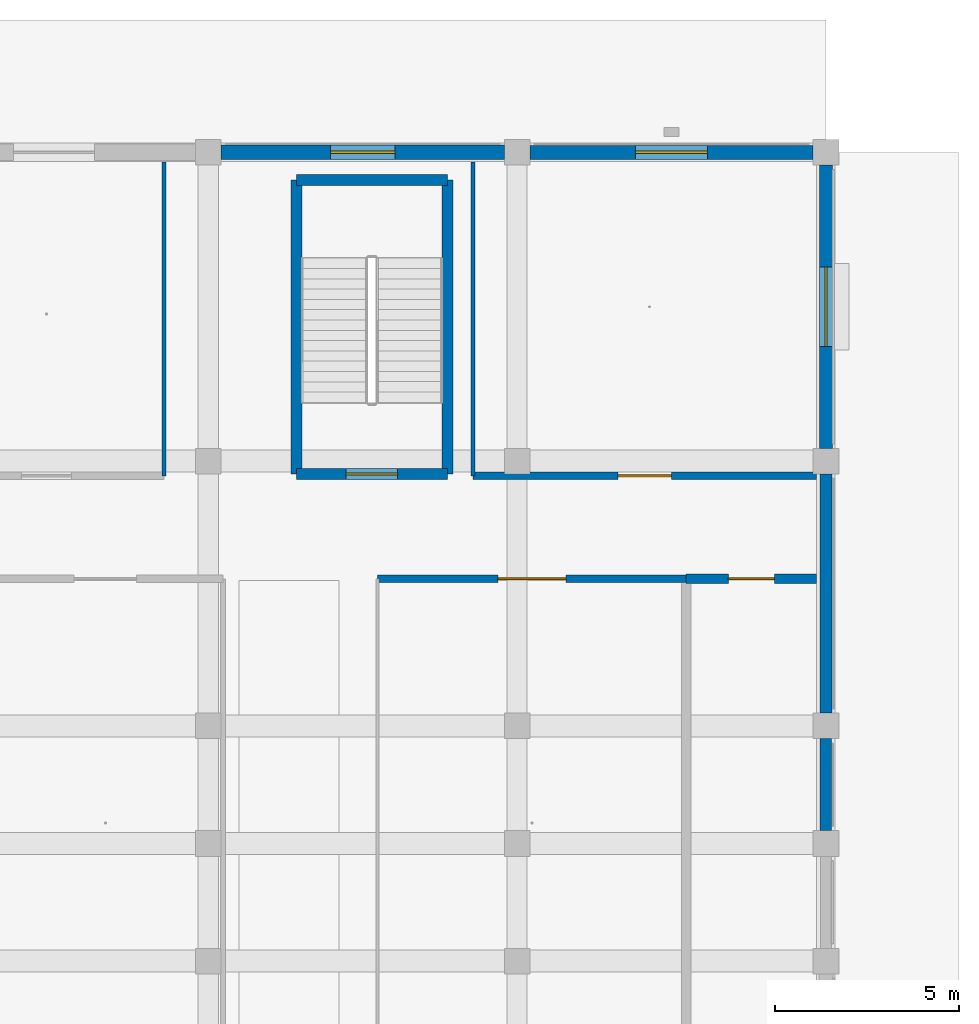
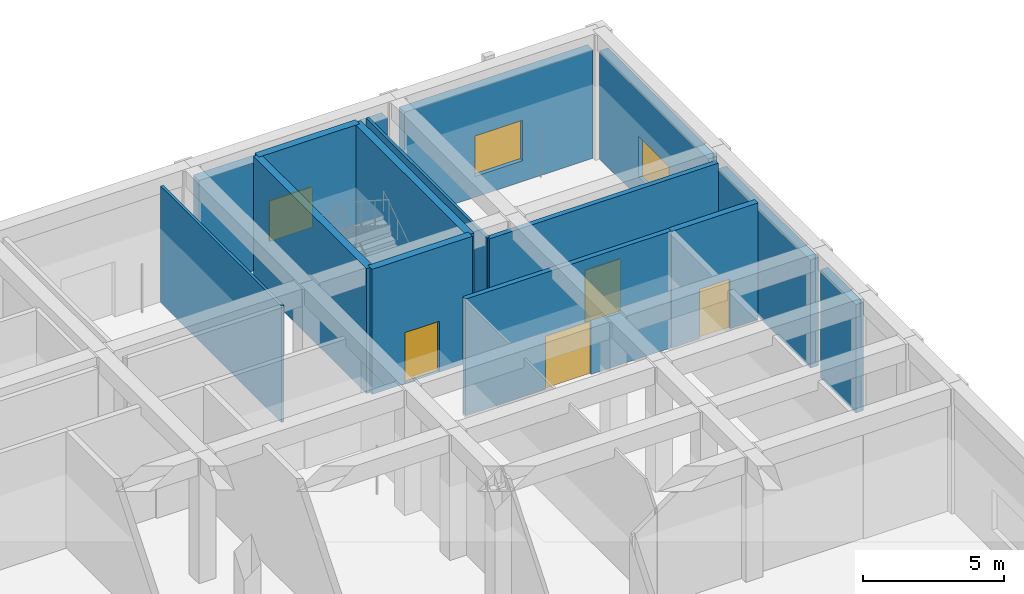
# One storey, part 79 of 167: 14 walls, 4 doors, 3 windows, 7 openings.
"""IFC4 building model written with IfcOpenShell, lengths in metres."""

import ifcopenshell
import ifcopenshell.guid

model = None  # the IFC model being written
_history = None  # IfcOwnerHistory: only IFC2X3 demands one
_inside = {}  # id of a spatial element -> (the spatial element, [elements in it])
_under = {}  # id of a project, library or spatial element -> (it, [spatial elements below it])
_declared = {}  # id of a project -> (the project, [libraries it declares])
_typed = {}  # id of a type object -> (the type object, [elements of that type])
_made_of = {}  # id of a material, layer set ... -> (it, [elements and type objects made of it])


def new_model(schema):
    """Start an empty IFC model of exactly this schema.

    Asked for "IFC4X3", IfcOpenShell would pick the latest addendum, in which some entities
    have other attributes; the version numbers below select the first issue.
    IFC2X3 requires an IfcOwnerHistory on every rooted entity: one is made here for all.
    """
    global model, _history
    if schema == "IFC4X3":
        model = ifcopenshell.file(schema_version=(4, 3, 0, 0))
    else:
        model = ifcopenshell.file(schema=schema)
    _inside.clear()
    _under.clear()
    _declared.clear()
    _typed.clear()
    _made_of.clear()
    _history = None
    if model.schema == "IFC2X3":
        org = make("IfcOrganization", Name="unknown")
        user = make(
            "IfcPersonAndOrganization",
            ThePerson=make("IfcPerson", FamilyName="unknown"),
            TheOrganization=org,
        )
        app = make(
            "IfcApplication",
            ApplicationDeveloper=org,
            Version="unknown",
            ApplicationFullName="unknown",
            ApplicationIdentifier="unknown",
        )
        _history = make(
            "IfcOwnerHistory",
            OwningUser=user,
            OwningApplication=app,
            ChangeAction="ADDED",
            CreationDate=0,
        )
    return model


def make(cls, **values):
    """One entity of the class cls with the attributes given. An attribute that is None is left unset."""
    return model.create_entity(
        cls, **{name: value for name, value in values.items() if value is not None}
    )


def rooted(cls, **values):
    """An entity with a GlobalId (a new one), such as an element, a storey or a relation."""
    return make(cls, GlobalId=ifcopenshell.guid.new(), OwnerHistory=_history, **values)


def si_unit(unit_type, name, prefix=None):
    """IfcSIUnit, for example si_unit("LENGTHUNIT", "METRE", prefix="MILLI")."""
    return make("IfcSIUnit", UnitType=unit_type, Prefix=prefix, Name=name)


def assignment(units):
    """IfcUnitAssignment: the units of a project."""
    return None if units is None else make("IfcUnitAssignment", Units=units)


def point(xyz):
    """IfcCartesianPoint."""
    return None if xyz is None else make("IfcCartesianPoint", Coordinates=xyz)


def direction(xyz):
    """IfcDirection."""
    return None if xyz is None else make("IfcDirection", DirectionRatios=xyz)


def frame(location, z_axis=None, x_axis=None):
    """IfcAxis2Placement3D, a coordinate frame: its origin and axes. An axis left out is left unset."""
    return make(
        "IfcAxis2Placement3D",
        Location=point(location),
        Axis=direction(z_axis),
        RefDirection=direction(x_axis),
    )


def frame_2d(location, x_axis=None):
    """IfcAxis2Placement2D, a coordinate frame in the plane: its origin and x axis."""
    return make(
        "IfcAxis2Placement2D", Location=point(location), RefDirection=direction(x_axis)
    )


def origin():
    """The frame at (0, 0, 0) with its axes left unset."""
    return frame((0.0, 0.0, 0.0))


def place(relative_to, where):
    """IfcLocalPlacement: puts the frame where relative to a parent placement (None: the world)."""
    return make(
        "IfcLocalPlacement", PlacementRelTo=relative_to, RelativePlacement=where
    )


def context(
    kind, dimensions, precision=None, world=None, true_north=None, identifier=None
):
    """IfcGeometricRepresentationContext, for example the 3D "Model" context."""
    return make(
        "IfcGeometricRepresentationContext",
        ContextIdentifier=identifier,
        ContextType=kind,
        CoordinateSpaceDimension=dimensions,
        Precision=precision,
        WorldCoordinateSystem=world,
        TrueNorth=true_north,
    )


def subcontext(parent, identifier, kind, view, scale=None):
    """IfcGeometricRepresentationSubContext, for example "Body" below "Model"."""
    return make(
        "IfcGeometricRepresentationSubContext",
        ContextIdentifier=identifier,
        ContextType=kind,
        ParentContext=parent,
        TargetScale=scale,
        TargetView=view,
    )


def project(units=None, contexts=None):
    """IfcProject with its units and contexts."""
    return rooted(
        "IfcProject",
        Name="project",
        RepresentationContexts=contexts,
        UnitsInContext=assignment(units),
    )


def spatial(cls, under=None, at=None, **own):
    """A site, building, storey or space (cls), placed at a placement, below another one or the project."""
    s = rooted(cls, ObjectPlacement=at, **own)
    if under is not None:
        _under.setdefault(under.id(), (under, []))[1].append(s)
    return s


def profile(cls, at=None, kind="AREA", **sizes):
    """A parametric profile (cls). Its sizes go by their IFC names, for example OverallWidth=200.0."""
    return make(cls, ProfileType=kind, Position=at, **sizes)


def rectangle(**sizes):
    """IfcRectangleProfileDef."""
    return profile("IfcRectangleProfileDef", **sizes)


def extrude(swept, where, along, depth):
    """IfcExtrudedAreaSolid: the profile swept, set in the frame where, extruded along a direction by depth."""
    return make(
        "IfcExtrudedAreaSolid",
        SweptArea=swept,
        Position=where,
        ExtrudedDirection=direction(along),
        Depth=depth,
    )


def shape(context_of_items, identifier, shape_type, items):
    """IfcShapeRepresentation: the items that make up one representation, for example the "Body"."""
    return make(
        "IfcShapeRepresentation",
        ContextOfItems=context_of_items,
        RepresentationIdentifier=identifier,
        RepresentationType=shape_type,
        Items=items,
    )


def material(Name=None, Category=None):
    """IfcMaterial."""
    return make("IfcMaterial", Name=Name, Category=Category)


def layer(
    of_material, thickness, ventilated=None, Name=None, Category=None, Priority=None
):
    """IfcMaterialLayer: one layer of a wall or slab, of a material (None: an air gap)."""
    return make(
        "IfcMaterialLayer",
        Material=of_material,
        LayerThickness=thickness,
        IsVentilated=ventilated,
        Name=Name,
        Category=Category,
        Priority=Priority,
    )


def layer_set(layers, Name=None):
    """IfcMaterialLayerSet."""
    return make("IfcMaterialLayerSet", MaterialLayers=layers, LayerSetName=Name)


def made_of(thing, what):
    """Note that an element or type object is made of a material, layer set ...; save() writes the relation."""
    if what is not None:
        _made_of.setdefault(what.id(), (what, []))[1].append(thing)
    return thing


def type_object(cls, material=None, **own):
    """A type object (cls), such as IfcWallType, which elements share."""
    return made_of(rooted(cls, **own), material)


def element(
    cls,
    number,
    at=None,
    inside=None,
    cuts=None,
    type_object=None,
    material=None,
    context=None,
    identifier="Body",
    shape_type=None,
    held_by="IfcProductDefinitionShape",
    body=None,
    shapes=None,
    **own,
):
    """One element of the class cls, such as IfcWall. Its Tag is "e" and its number.

    at: its placement. inside: the storey or other place that contains it. cuts: it is an
    opening in that element (IfcRelVoidsElement). A single representation is given by context,
    identifier, shape_type and body (its items); several are given by shapes. held_by: the class
    of the entity that holds the representations. save() writes the other relations.
    """
    e = rooted(cls, Tag="e%d" % number, ObjectPlacement=at, **own)
    if body is not None:
        shapes = [shape(context, identifier, shape_type, body)]
    if shapes is not None:
        e.Representation = make(held_by, Representations=shapes)
    if inside is not None:
        _inside.setdefault(inside.id(), (inside, []))[1].append(e)
    if cuts is not None:
        rooted(
            "IfcRelVoidsElement", RelatingBuildingElement=cuts, RelatedOpeningElement=e
        )
    if type_object is not None:
        _typed.setdefault(type_object.id(), (type_object, []))[1].append(e)
    return made_of(e, material)


def fill(opening, filler):
    """IfcRelFillsElement: the door or window that sits in an opening."""
    return rooted(
        "IfcRelFillsElement",
        RelatingOpeningElement=opening,
        RelatedBuildingElement=filler,
    )


def aggregate(whole, parts):
    """IfcRelAggregates: a whole, such as a stair, and the parts it consists of."""
    return rooted("IfcRelAggregates", RelatingObject=whole, RelatedObjects=parts)


def save(model, path):
    """Write the relations noted so far, then the file.

    IfcRelAggregates (storeys below a building ...), IfcRelContainedInSpatialStructure (elements
    in a storey), IfcRelDefinesByType, IfcRelAssociatesMaterial and IfcRelDeclares: one each for
    every whole, place, type object, material and project.
    """
    for whole, parts in _under.values():
        aggregate(whole, parts)
    for where, things in _inside.values():
        rooted(
            "IfcRelContainedInSpatialStructure",
            RelatedElements=things,
            RelatingStructure=where,
        )
    for kind, things in _typed.values():
        rooted("IfcRelDefinesByType", RelatedObjects=things, RelatingType=kind)
    for what, things in _made_of.values():
        rooted("IfcRelAssociatesMaterial", RelatedObjects=things, RelatingMaterial=what)
    for by, libraries in _declared.values():
        rooted("IfcRelDeclares", RelatingContext=by, RelatedDefinitions=libraries)
    model.write(path)


model = new_model("IFC4")

# Units and contexts
model_context = context("Model", 3, precision=1e-05, world=origin(), true_north=direction((0.0, 1.0)))
body_context = subcontext(model_context, "Body", "Model", "MODEL_VIEW")
ifc_project = project(units=[si_unit("LENGTHUNIT", "METRE"), si_unit("AREAUNIT", "SQUARE_METRE"), si_unit("VOLUMEUNIT", "CUBIC_METRE"), si_unit("PLANEANGLEUNIT", "RADIAN"), si_unit("MASSUNIT", "GRAM", prefix="KILO")], contexts=[model_context])

# Site, building, storey
site_placement = place(None, origin())
site = spatial("IfcSite", under=ifc_project, at=site_placement, CompositionType="ELEMENT")
building_placement = place(site_placement, origin())
building = spatial("IfcBuilding", under=site, at=building_placement, Name="Varncliffe General Hospital", CompositionType="ELEMENT")
storey_placement = place(building_placement, origin())
storey = spatial("IfcBuildingStorey", under=building, at=storey_placement, Name="L00", CompositionType="ELEMENT", Elevation=0.0)

# Wall
ifc_material_1 = material(Name="Precast concrete C40/50 with insulated cream lime-cement stucco", Category="concrete")
ifc_layer_1 = layer(ifc_material_1, 0.31005859375)
ifc_layer_set_1 = layer_set([ifc_layer_1], Name="Precast concrete C40/50 with insulated cream lime-cement stucco")
wall_type_1 = type_object("IfcWallType", Name="Exterior Insulated Stucco Wall EW20 (310mm)", PredefinedType="SOLIDWALL", material=ifc_layer_set_1)
wall_1_placement = place(storey_placement, frame((176.39990234375, 108.85205078125, 0.0), z_axis=(0.0, 0.0, 1.0), x_axis=(0.0, -1.0, 0.0)))
element("IfcWall", 1, at=wall_1_placement, inside=storey, type_object=wall_type_1, Name="L00 Exterior Stucco Wall EW20-37", PredefinedType="SOLIDWALL", context=body_context, shape_type="SweptSolid", body=[
    extrude(rectangle(XDim=2.504150390625, YDim=0.31005859375, at=frame_2d((1.251953125, 0.0))), origin(), (0.0, 0.0, 1.0), 4.679931640625),
])

# Wall, opening, window
ifc_layer_2 = layer(ifc_material_1, 0.3798828125)
ifc_layer_set_2 = layer_set([ifc_layer_2], Name="Precast concrete C40/50 with insulated cream lime-cement stucco")
wall_type_2 = type_object("IfcWallType", Name="Exterior Insulated Stucco Wall EW26 (380mm)", PredefinedType="SOLIDWALL", material=ifc_layer_set_2)
wall_2_placement = place(storey_placement, frame((168.347900390625, 124.800048828125, 0.0), z_axis=(0.0, 0.0, 1.0), x_axis=(1.0, 0.0, 0.0)))
wall_2 = element("IfcWall", 2, at=wall_2_placement, inside=storey, type_object=wall_type_2, Name="L00 Exterior Stucco Wall EW26-34", PredefinedType="SOLIDWALL", context=body_context, shape_type="SweptSolid", body=[
    extrude(rectangle(XDim=7.7041015625, YDim=0.3798828125, at=frame_2d((3.85205078125, 0.0))), origin(), (0.0, 0.0, 1.0), 4.679931640625),
])
opening_1_placement = place(wall_2_placement, frame((2.876953125, 0.0, 0.89990234375)))
opening_1 = element("IfcOpeningElement", 3, at=opening_1_placement, cuts=wall_2, Name="Opening WN71", PredefinedType="OPENING", context=body_context, shape_type="SweptSolid", body=[
    extrude(rectangle(XDim=1.949951171875, YDim=1.75, at=frame_2d((0.97509765625, 0.875))), frame((0.0, 0.199951171875, 0.0), z_axis=(0.0, -1.0, 0.0), x_axis=(1.0, 0.0, 0.0)), (0.0, 0.0, 1.0), 0.39990234375),
])
ifc_material_2 = material(Name="Triple low-E argon insulated vision glazing", Category="glass")
window_type_1 = type_object("IfcWindowType", Name="Triple-Glazed Hospital Window WN71 (1950x1750)", PartitioningType="DOUBLE_PANEL_VERTICAL", PredefinedType="WINDOW", material=ifc_material_2)
window_1_placement = place(opening_1_placement, origin())
window_1 = element("IfcWindow", 4, at=window_1_placement, inside=storey, type_object=window_type_1, Name="L00 Hospital Window WN71-21", OverallHeight=1.75, OverallWidth=1.949951171875, PartitioningType="DOUBLE_PANEL_VERTICAL", PredefinedType="WINDOW", context=body_context, shape_type="SweptSolid", body=[
    extrude(rectangle(XDim=1.949951171875, YDim=1.75, at=frame_2d((0.97509765625, 0.875))), frame((0.0, 0.030029296875, 0.0), z_axis=(0.0, -1.0, 0.0), x_axis=(1.0, 0.0, 0.0)), (0.0, 0.0, 1.0), 0.06005859375),
])
fill(opening_1, window_1)

# Wall
ifc_layer_3 = layer(ifc_material_1, 0.330078125)
ifc_layer_set_3 = layer_set([ifc_layer_3], Name="Precast concrete C40/50 with insulated cream lime-cement stucco")
wall_type_3 = type_object("IfcWallType", Name="Exterior Insulated Stucco Wall EW33 (330mm)", PredefinedType="SOLIDWALL", material=ifc_layer_set_3)
wall_3_placement = place(storey_placement, frame((176.39990234375, 116.052001953125, 0.0), z_axis=(0.0, 0.0, 1.0), x_axis=(0.0, -1.0, 0.0)))
element("IfcWall", 5, at=wall_3_placement, inside=storey, type_object=wall_type_3, Name="L00 Exterior Stucco Wall EW33-36", PredefinedType="SOLIDWALL", context=body_context, shape_type="SweptSolid", body=[
    extrude(rectangle(XDim=6.50390625, YDim=0.330078125, at=frame_2d((3.251953125, 0.0))), origin(), (0.0, 0.0, 1.0), 4.679931640625),
])

# Wall, opening, window
ifc_layer_4 = layer(ifc_material_1, 0.35009765625)
ifc_layer_set_4 = layer_set([ifc_layer_4], Name="Precast concrete C40/50 with insulated cream lime-cement stucco")
wall_type_4 = type_object("IfcWallType", Name="Exterior Insulated Stucco Wall EW37 (350mm)", PredefinedType="SOLIDWALL", material=ifc_layer_set_4)
wall_4_placement = place(storey_placement, frame((176.39990234375, 124.451904296875, 0.0), z_axis=(0.0, 0.0, 1.0), x_axis=(0.0, -1.0, 0.0)))
wall_4 = element("IfcWall", 6, at=wall_4_placement, inside=storey, type_object=wall_type_4, Name="L00 Exterior Stucco Wall EW37-35", PredefinedType="SOLIDWALL", context=body_context, shape_type="SweptSolid", body=[
    extrude(rectangle(XDim=7.703857421875, YDim=0.35009765625, at=frame_2d((3.85205078125, 0.0))), origin(), (0.0, 0.0, 1.0), 4.679931640625),
])
opening_2_placement = place(wall_4_placement, frame((2.777099609375, 0.0, 0.89990234375)))
opening_2 = element("IfcOpeningElement", 7, at=opening_2_placement, cuts=wall_4, Name="Opening WN63", PredefinedType="OPENING", context=body_context, shape_type="SweptSolid", body=[
    extrude(rectangle(XDim=2.14990234375, YDim=1.75, at=frame_2d((1.074951171875, 0.875))), frame((0.0, 0.18505859375, 0.0), z_axis=(0.0, -1.0, 0.0), x_axis=(1.0, 0.0, 0.0)), (0.0, 0.0, 1.0), 0.3701171875),
])
window_type_2 = type_object("IfcWindowType", Name="Triple-Glazed Hospital Window WN63 (2150x1750)", PartitioningType="DOUBLE_PANEL_VERTICAL", PredefinedType="WINDOW", material=ifc_material_2)
window_2_placement = place(opening_2_placement, origin())
window_2 = element("IfcWindow", 8, at=window_2_placement, inside=storey, type_object=window_type_2, Name="L00 Hospital Window WN63-22", OverallHeight=1.75, OverallWidth=2.14990234375, PartitioningType="DOUBLE_PANEL_VERTICAL", PredefinedType="WINDOW", context=body_context, shape_type="SweptSolid", body=[
    extrude(rectangle(XDim=2.14990234375, YDim=1.75, at=frame_2d((1.074951171875, 0.875))), frame((0.0, 0.030029296875, 0.0), z_axis=(0.0, -1.0, 0.0), x_axis=(1.0, 0.0, 0.0)), (0.0, 0.0, 1.0), 0.06005859375),
])
fill(opening_2, window_2)

ifc_layer_5 = layer(ifc_material_1, 0.39990234375)
ifc_layer_set_5 = layer_set([ifc_layer_5], Name="Precast concrete C40/50 with insulated cream lime-cement stucco")
wall_type_5 = type_object("IfcWallType", Name="Exterior Insulated Stucco Wall EW47 (400mm)", PredefinedType="SOLIDWALL", material=ifc_layer_set_5)
wall_5_placement = place(storey_placement, frame((159.947998046875, 124.800048828125, 0.0), z_axis=(0.0, 0.0, 1.0), x_axis=(1.0, 0.0, 0.0)))
wall_5 = element("IfcWall", 9, at=wall_5_placement, inside=storey, type_object=wall_type_5, Name="L00 Exterior Stucco Wall EW47-33", PredefinedType="SOLIDWALL", context=body_context, shape_type="SweptSolid", body=[
    extrude(rectangle(XDim=7.7041015625, YDim=0.39990234375, at=frame_2d((3.85205078125, 0.0))), origin(), (0.0, 0.0, 1.0), 4.679931640625),
])
opening_3_placement = place(wall_5_placement, frame((2.97705078125, 0.0, 0.89990234375)))
opening_3 = element("IfcOpeningElement", 10, at=opening_3_placement, cuts=wall_5, Name="Opening WN82", PredefinedType="OPENING", context=body_context, shape_type="SweptSolid", body=[
    extrude(rectangle(XDim=1.75, YDim=1.75, at=frame_2d((0.875, 0.875))), frame((0.0, 0.2099609375, 0.0), z_axis=(0.0, -1.0, 0.0), x_axis=(1.0, 0.0, 0.0)), (0.0, 0.0, 1.0), 0.419921875),
])
window_type_3 = type_object("IfcWindowType", Name="Triple-Glazed Hospital Window WN82 (1750x1750)", PartitioningType="DOUBLE_PANEL_VERTICAL", PredefinedType="WINDOW", material=ifc_material_2)
window_3_placement = place(opening_3_placement, origin())
window_3 = element("IfcWindow", 11, at=window_3_placement, inside=storey, type_object=window_type_3, Name="L00 Hospital Window WN82-20", OverallHeight=1.75, OverallWidth=1.75, PartitioningType="DOUBLE_PANEL_VERTICAL", PredefinedType="WINDOW", context=body_context, shape_type="SweptSolid", body=[
    extrude(rectangle(XDim=1.75, YDim=1.75, at=frame_2d((0.875, 0.875))), frame((0.0, 0.030029296875, 0.0), z_axis=(0.0, -1.0, 0.0), x_axis=(1.0, 0.0, 0.0)), (0.0, 0.0, 1.0), 0.06005859375),
])
fill(opening_3, window_3)

# Walls
ifc_material_3 = material(Name="Acoustic clinical gypsum stud partition assembly", Category="gypsum")
ifc_layer_6 = layer(ifc_material_3, 0.110107421875)
ifc_layer_set_6 = layer_set([ifc_layer_6], Name="Acoustic clinical gypsum stud partition assembly")
wall_type_6 = type_object("IfcWallType", Name="Interior Partitioning IW65 (110mm)", PredefinedType="PARTITIONING", material=ifc_layer_set_6)
for number, where, z_axis, x_axis, name in (
    (12, (158.39990234375, 116.0, 0.0), (0.0, 0.0, 1.0), (0.0, 1.0, 0.0), "L00 Interior Partition Wall IW65-397"),
    (13, (166.800048828125, 116.0, 0.0), (0.0, 0.0, 1.0), (0.0, 1.0, 0.0), "L00 Interior Partition Wall IW65-422"),
):
    element("IfcWall", number, at=place(storey_placement, frame(where, z_axis=z_axis, x_axis=x_axis)), inside=storey, type_object=wall_type_6, Name=name, PredefinedType="PARTITIONING", context=body_context, shape_type="SweptSolid", body=[
        extrude(rectangle(XDim=8.5400390625, YDim=0.110107421875, at=frame_2d((4.27001953125, 0.0))), origin(), (0.0, 0.0, 1.0), 5.0400390625),
    ])

# Wall, opening, door
ifc_material_4 = material(Name="Fire-rated gypsum and mineral-wool partition assembly", Category="gypsum")
ifc_layer_7 = layer(ifc_material_4, 0.25)
ifc_layer_set_7 = layer_set([ifc_layer_7], Name="Fire-rated gypsum and mineral-wool partition assembly")
wall_type_7 = type_object("IfcWallType", Name="Interior Partitioning PW38 (250mm)", PredefinedType="PARTITIONING", material=ifc_layer_set_7)
wall_6_placement = place(storey_placement, frame((172.60009765625, 113.199951171875, 0.0), z_axis=(0.0, 0.0, 1.0), x_axis=(1.0, 0.0, 0.0)))
wall_6 = element("IfcWall", 14, at=wall_6_placement, inside=storey, type_object=wall_type_7, Name="L00 Interior Partition Wall PW38-243", PredefinedType="PARTITIONING", context=body_context, shape_type="SweptSolid", body=[
    extrude(rectangle(XDim=3.539794921875, YDim=0.25, at=frame_2d((1.77001953125, 0.0))), origin(), (0.0, 0.0, 1.0), 5.0400390625),
])
opening_4_placement = place(wall_6_placement, frame((1.14501953125, 0.0, 0.0)))
opening_4 = element("IfcOpeningElement", 15, at=opening_4_placement, cuts=wall_6, Name="Opening DC44", PredefinedType="OPENING", context=body_context, shape_type="SweptSolid", body=[
    extrude(rectangle(XDim=1.25, YDim=2.14990234375, at=frame_2d((0.625, 1.074951171875))), frame((0.0, 0.135009765625, 0.0), z_axis=(0.0, -1.0, 0.0), x_axis=(1.0, 0.0, 0.0)), (0.0, 0.0, 1.0), 0.27001953125),
])
ifc_material_5 = material(Name="Fire-rated hospital steel-frame vision-panel door", Category="steel")
door_type_1 = type_object("IfcDoorType", Name="Interior Hospital Door DC44 (1250x2150)", OperationType="NOTDEFINED", PredefinedType="DOOR", material=ifc_material_5)
door_1_placement = place(opening_4_placement, frame((1.25, 0.0, 0.0), z_axis=(0.0, 0.0, 1.0), x_axis=(-1.0, 0.0, 0.0)))
door_1 = element("IfcDoor", 16, at=door_1_placement, inside=storey, type_object=door_type_1, Name="L00 Ground Ward Clean Utility Store 130 Door", OperationType="SINGLE_SWING_LEFT", OverallHeight=2.14990234375, OverallWidth=1.25, PredefinedType="DOOR", context=body_context, shape_type="SweptSolid", body=[
    extrude(rectangle(XDim=1.25, YDim=2.14990234375, at=frame_2d((0.625, 1.074951171875))), frame((0.0, 0.02490234375, 0.0), z_axis=(0.0, -1.0, 0.0), x_axis=(1.0, 0.0, 0.0)), (0.0, 0.0, 1.0), 0.050048828125),
])
fill(opening_4, door_1)

ifc_layer_8 = layer(ifc_material_4, 0.199951171875)
ifc_layer_set_8 = layer_set([ifc_layer_8], Name="Fire-rated gypsum and mineral-wool partition assembly")
wall_type_8 = type_object("IfcWallType", Name="Interior Partitioning PW63 (200mm)", PredefinedType="PARTITIONING", material=ifc_layer_set_8)
wall_7_placement = place(storey_placement, frame((164.199951171875, 113.199951171875, 0.0), z_axis=(0.0, 0.0, 1.0), x_axis=(1.0, 0.0, 0.0)))
wall_7 = element("IfcWall", 17, at=wall_7_placement, inside=storey, type_object=wall_type_8, Name="L00 Interior Partition Wall PW63-242", PredefinedType="PARTITIONING", context=body_context, shape_type="SweptSolid", body=[
    extrude(rectangle(XDim=8.400146484375, YDim=0.199951171875, at=frame_2d((4.2001953125, 0.0))), origin(), (0.0, 0.0, 1.0), 5.0400390625),
])
opening_5_placement = place(wall_7_placement, frame((3.27490234375, 0.0, 0.0)))
opening_5 = element("IfcOpeningElement", 18, at=opening_5_placement, cuts=wall_7, Name="Opening DC38", PredefinedType="OPENING", context=body_context, shape_type="SweptSolid", body=[
    extrude(rectangle(XDim=1.85009765625, YDim=2.300048828125, at=frame_2d((0.925048828125, 1.14990234375))), frame((0.0, 0.10986328125, 0.0), z_axis=(0.0, -1.0, 0.0), x_axis=(1.0, 0.0, 0.0)), (0.0, 0.0, 1.0), 0.219970703125),
])
door_type_2 = type_object("IfcDoorType", Name="Interior Hospital Door DC38 (1850x2300)", OperationType="NOTDEFINED", PredefinedType="DOOR", material=ifc_material_5)
door_2_placement = place(opening_5_placement, frame((1.85009765625, 0.0, 0.0), z_axis=(0.0, 0.0, 1.0), x_axis=(-1.0, 0.0, 0.0)))
door_2 = element("IfcDoor", 19, at=door_2_placement, inside=storey, type_object=door_type_2, Name="L00 Rehabilitation Ambulation Training Room 129 Door", OperationType="SINGLE_SWING_RIGHT", OverallHeight=2.300048828125, OverallWidth=1.85009765625, PredefinedType="DOOR", context=body_context, shape_type="SweptSolid", body=[
    extrude(rectangle(XDim=1.85009765625, YDim=2.300048828125, at=frame_2d((0.925048828125, 1.14990234375))), frame((0.0, 0.02490234375, 0.0), z_axis=(0.0, -1.0, 0.0), x_axis=(1.0, 0.0, 0.0)), (0.0, 0.0, 1.0), 0.050048828125),
])
fill(opening_5, door_2)

wall_8_placement = place(storey_placement, frame((166.800048828125, 116.0, 0.0), z_axis=(0.0, 0.0, 1.0), x_axis=(1.0, 0.0, 0.0)))
wall_8 = element("IfcWall", 20, at=wall_8_placement, inside=storey, type_object=wall_type_8, Name="L00 Interior Partition Wall PW63-253", PredefinedType="PARTITIONING", context=body_context, shape_type="SweptSolid", body=[
    extrude(rectangle(XDim=9.33984375, YDim=0.199951171875, at=frame_2d((4.669921875, 0.0))), origin(), (0.0, 0.0, 1.0), 5.0400390625),
])
opening_6_placement = place(wall_8_placement, frame((3.945068359375, 0.0, 0.0)))
opening_6 = element("IfcOpeningElement", 21, at=opening_6_placement, cuts=wall_8, Name="Opening DC66", PredefinedType="OPENING", context=body_context, shape_type="SweptSolid", body=[
    extrude(rectangle(XDim=1.449951171875, YDim=2.25, at=frame_2d((0.72509765625, 1.125))), frame((0.0, 0.10986328125, 0.0), z_axis=(0.0, -1.0, 0.0), x_axis=(1.0, 0.0, 0.0)), (0.0, 0.0, 1.0), 0.219970703125),
])
door_type_3 = type_object("IfcDoorType", Name="Interior Hospital Door DC66 (1450x2250)", OperationType="NOTDEFINED", PredefinedType="DOOR", material=ifc_material_5)
door_3_placement = place(opening_6_placement, origin())
door_3 = element("IfcDoor", 22, at=door_3_placement, inside=storey, type_object=door_type_3, Name="L00 Rehabilitation Ambulation Training Room 136 Door", OperationType="SINGLE_SWING_LEFT", OverallHeight=2.25, OverallWidth=1.449951171875, PredefinedType="DOOR", context=body_context, shape_type="SweptSolid", body=[
    extrude(rectangle(XDim=1.449951171875, YDim=2.25, at=frame_2d((0.72509765625, 1.125))), frame((0.0, 0.02490234375, 0.0), z_axis=(0.0, -1.0, 0.0), x_axis=(1.0, 0.0, 0.0)), (0.0, 0.0, 1.0), 0.050048828125),
])
fill(opening_6, door_3)

# Walls
ifc_material_6 = material(Name="Concrete C40/50 (CSA A23.1 40 MPa)", Category="concrete")
ifc_layer_9 = layer(ifc_material_6, 0.300048828125)
ifc_layer_set_9 = layer_set([ifc_layer_9], Name="Concrete C40/50 (CSA A23.1 40 MPa)")
wall_type_9 = type_object("IfcWallType", Name="Reinforced Concrete Core Shear Wall CW12 (300mm)", PredefinedType="SHEAR", material=ifc_layer_set_9)
wall_9_placement = place(storey_placement, frame((166.10009765625, 116.050048828125, 0.0), z_axis=(0.0, 0.0, 1.0), x_axis=(0.0, 1.0, 0.0)))
element("IfcWall", 23, at=wall_9_placement, inside=storey, type_object=wall_type_9, Name="L00 ST04 Core Shear Wall L", PredefinedType="SHEAR", context=body_context, shape_type="SweptSolid", body=[
    extrude(rectangle(XDim=8.0, YDim=0.300048828125, at=frame_2d((4.0, 0.0))), origin(), (0.0, 0.0, 1.0), 5.39990234375),
])
wall_10_placement = place(storey_placement, frame((166.10009765625, 124.050048828125, 0.0), z_axis=(0.0, 0.0, 1.0), x_axis=(-1.0, 0.0, 0.0)))
element("IfcWall", 24, at=wall_10_placement, inside=storey, type_object=wall_type_9, Name="L00 ST04 Core Shear Wall F", PredefinedType="SHEAR", context=body_context, shape_type="SweptSolid", body=[
    extrude(rectangle(XDim=4.10009765625, YDim=0.300048828125, at=frame_2d((2.050048828125, 0.0))), origin(), (0.0, 0.0, 1.0), 5.39990234375),
])
wall_11_placement = place(storey_placement, frame((162.0, 124.050048828125, 0.0), z_axis=(0.0, 0.0, 1.0), x_axis=(0.0, -1.0, 0.0)))
element("IfcWall", 25, at=wall_11_placement, inside=storey, type_object=wall_type_9, Name="L00 ST04 Core Shear Wall R", PredefinedType="SHEAR", context=body_context, shape_type="SweptSolid", body=[
    extrude(rectangle(XDim=8.0, YDim=0.300048828125, at=frame_2d((4.0, 0.0))), origin(), (0.0, 0.0, 1.0), 5.39990234375),
])

# Wall, opening, door
wall_12_placement = place(storey_placement, frame((162.0, 116.050048828125, 0.0), z_axis=(0.0, 0.0, 1.0), x_axis=(1.0, 0.0, 0.0)))
wall_12 = element("IfcWall", 26, at=wall_12_placement, inside=storey, type_object=wall_type_9, Name="L00 ST04 Core Shear Wall N", PredefinedType="SHEAR", context=body_context, shape_type="SweptSolid", body=[
    extrude(rectangle(XDim=4.10009765625, YDim=0.300048828125, at=frame_2d((2.050048828125, 0.0))), origin(), (0.0, 0.0, 1.0), 5.39990234375),
])
opening_7_placement = place(wall_12_placement, frame((1.35009765625, 0.0, 0.0)))
opening_7 = element("IfcOpeningElement", 27, at=opening_7_placement, cuts=wall_12, Name="Opening DF81", PredefinedType="OPENING", context=body_context, shape_type="SweptSolid", body=[
    extrude(rectangle(XDim=1.39990234375, YDim=2.199951171875, at=frame_2d((0.699951171875, 1.10009765625))), frame((0.0, 0.16015625, 0.0), z_axis=(0.0, -1.0, 0.0), x_axis=(1.0, 0.0, 0.0)), (0.0, 0.0, 1.0), 0.320068359375),
])
door_type_4 = type_object("IfcDoorType", Name="Interior Hospital Door DF81 (1400x2200)", OperationType="NOTDEFINED", PredefinedType="DOOR", material=ifc_material_5)
door_4_placement = place(opening_7_placement, origin())
door_4 = element("IfcDoor", 28, at=door_4_placement, inside=storey, type_object=door_type_4, Name="L00 ST04 Protected Exit Stair Door", OperationType="SINGLE_SWING_LEFT", OverallHeight=2.199951171875, OverallWidth=1.39990234375, PredefinedType="DOOR", context=body_context, shape_type="SweptSolid", body=[
    extrude(rectangle(XDim=1.39990234375, YDim=2.199951171875, at=frame_2d((0.699951171875, 1.10009765625))), frame((0.0, 0.02490234375, 0.0), z_axis=(0.0, -1.0, 0.0), x_axis=(1.0, 0.0, 0.0)), (0.0, 0.0, 1.0), 0.050048828125),
])
fill(opening_7, door_4)

save(model, "model.ifc")
